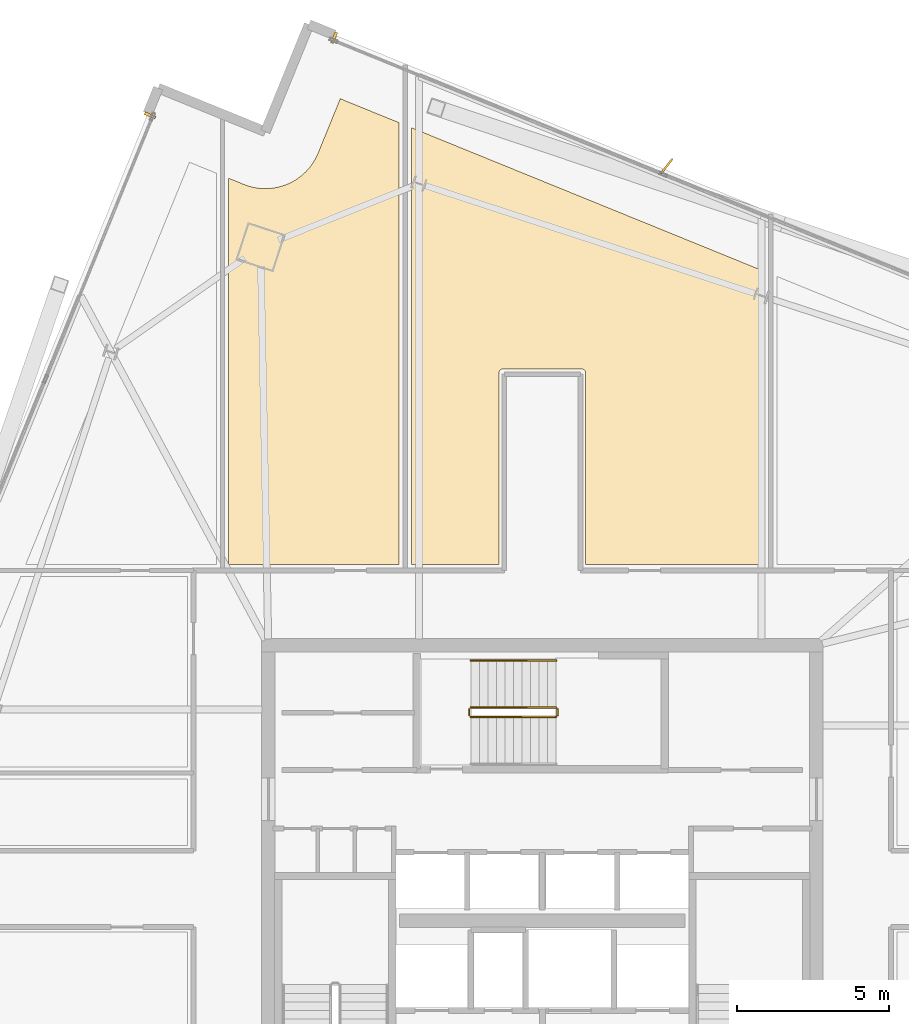
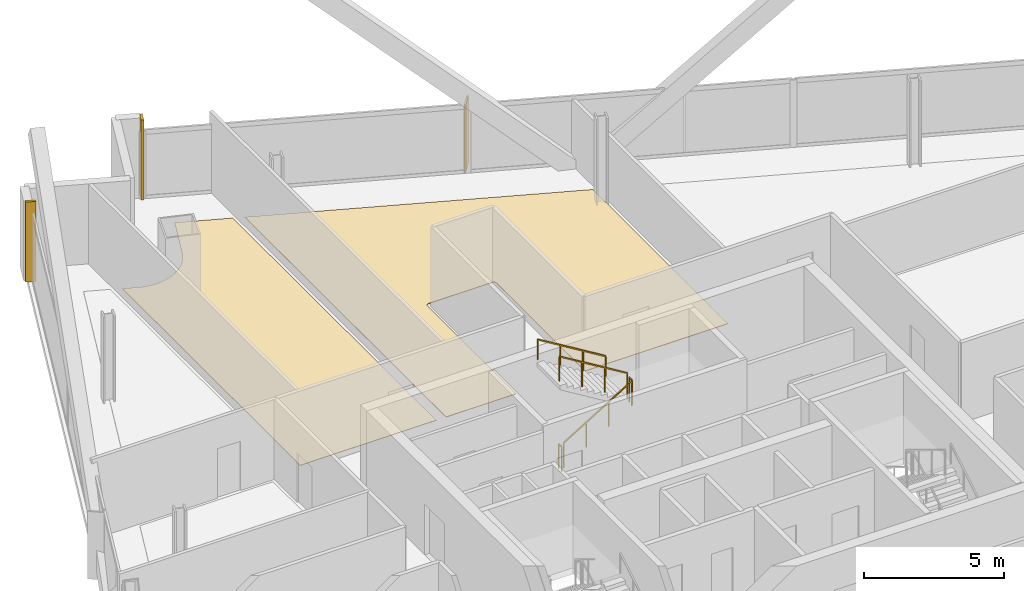
# One storey, part 30 of 31: 5 railings, 4 coverings, 1 shading device.
"""IFC4 building model written with IfcOpenShell, lengths in metres."""

from ifc_helpers import new_model, si_unit, direction, frame, origin, origin_2d, place, context, subcontext, project, spatial, polyline, rectangle, outline, extrude, source, transform, mapped, material, layer, layer_set, type_object, element, save


model = new_model("IFC4")

# Units and contexts
model_context = context("Model", 3, precision=1e-05, world=origin(), true_north=direction((0.0, 1.0)))
body_context = subcontext(model_context, "Body", "Model", "MODEL_VIEW")
ifc_project = project(units=[si_unit("LENGTHUNIT", "METRE"), si_unit("AREAUNIT", "SQUARE_METRE"), si_unit("VOLUMEUNIT", "CUBIC_METRE"), si_unit("PLANEANGLEUNIT", "RADIAN"), si_unit("MASSUNIT", "GRAM", prefix="KILO")], contexts=[model_context])

# Site, building, storey
site_placement = place(None, origin())
site = spatial("IfcSite", under=ifc_project, at=site_placement, CompositionType="ELEMENT")
building_placement = place(site_placement, origin())
building = spatial("IfcBuilding", under=site, at=building_placement, Name="Haldenkirk Collegiate Tower", CompositionType="ELEMENT")
storey_placement = place(building_placement, frame((0.0, 0.0, 256.199951171875)))
storey = spatial("IfcBuildingStorey", under=building, at=storey_placement, Name="L64", CompositionType="ELEMENT", Elevation=256.199951171875)

# Coverings
ifc_material_1 = material(Name="Polished collegiate terrazzo", Category="concrete")
ifc_layer_1 = layer(ifc_material_1, 0.02490234375)
ifc_layer_set_1 = layer_set([ifc_layer_1], Name="Polished collegiate terrazzo")
covering_type_1 = type_object("IfcCoveringType", Name="COV-FLOOR-TERRAZZO", PredefinedType="FLOORING", material=ifc_layer_set_1)
covering_1_placement = place(storey_placement, origin())
element("IfcCovering", 1, at=covering_1_placement, inside=storey, type_object=covering_type_1, Name="L64 academic room finish 06", PredefinedType="FLOORING", context=body_context, shape_type="SweptSolid", body=[
    extrude(outline(polyline([(43.300048828125, 46.27392578125), (43.300048828125, 36.64990234375), (37.419921875, 36.64990234375), (37.419921875, 42.949951171875), (37.41943359375, 42.9619140625), (37.417724609375, 42.973388671875), (37.414794921875, 42.98486328125), (37.410888671875, 42.995849609375), (37.40576171875, 43.006591796875), (37.39990234375, 43.0166015625), (37.392822265625, 43.026123046875), (37.385009765625, 43.034912109375), (37.376220703125, 43.042724609375), (37.36669921875, 43.0498046875), (37.356689453125, 43.055908203125), (37.345947265625, 43.060791015625), (37.334716796875, 43.064697265625), (37.323486328125, 43.067626953125), (37.311767578125, 43.0693359375), (37.300048828125, 43.070068359375), (34.699951171875, 43.070068359375), (34.688232421875, 43.0693359375), (34.676513671875, 43.067626953125), (34.665283203125, 43.064697265625), (34.654052734375, 43.060791015625), (34.643310546875, 43.055908203125), (34.63330078125, 43.0498046875), (34.623779296875, 43.042724609375), (34.614990234375, 43.034912109375), (34.607177734375, 43.026123046875), (34.60009765625, 43.0166015625), (34.59423828125, 43.006591796875), (34.589111328125, 42.995849609375), (34.585205078125, 42.98486328125), (34.582275390625, 42.973388671875), (34.58056640625, 42.9619140625), (34.580078125, 42.949951171875), (34.580078125, 36.64990234375), (31.699951171875, 36.64990234375), (31.699951171875, 50.99609375), (43.300048828125, 46.27392578125)])), origin(), (0.0, 0.0, 1.0), 0.025146484375),
])
ifc_material_2 = material(Name="Engineered collegiate oak acoustic flooring", Category="wood")
ifc_layer_2 = layer(ifc_material_2, 0.02197265625)
ifc_layer_set_2 = layer_set([ifc_layer_2], Name="Engineered collegiate oak acoustic flooring")
covering_type_2 = type_object("IfcCoveringType", Name="COV-FLOOR-TIMBER", PredefinedType="FLOORING", material=ifc_layer_set_2)
covering_2_placement = place(storey_placement, origin())
element("IfcCovering", 2, at=covering_2_placement, inside=storey, type_object=covering_type_2, Name="L64 academic room finish 05", PredefinedType="FLOORING", context=body_context, shape_type="SweptSolid", body=[
    extrude(outline(polyline([(26.198486328125, 49.1328125), (26.2041015625, 49.130615234375), (26.3662109375, 49.07373046875), (26.37744140625, 49.0703125), (26.544189453125, 49.02978515625), (26.5556640625, 49.027587890625), (26.7255859375, 49.00341796875), (26.7373046875, 49.002197265625), (26.908935546875, 48.994873046875), (26.9208984375, 48.994873046875), (27.09228515625, 49.00439453125), (27.10400390625, 49.005615234375), (27.273681640625, 49.03173828125), (27.285400390625, 49.0341796875), (27.45166015625, 49.076904296875), (27.462890625, 49.080322265625), (27.624267578125, 49.13916015625), (27.635009765625, 49.143798828125), (27.789794921875, 49.21826171875), (27.80029296875, 49.223876953125), (27.947021484375, 49.31298828125), (27.956787109375, 49.319580078125), (28.093994140625, 49.422607421875), (28.10302734375, 49.430419921875), (28.2294921875, 49.54638671875), (28.23779296875, 49.554931640625), (28.352294921875, 49.682861328125), (28.35986328125, 49.69189453125), (28.461181640625, 49.83056640625), (28.4677734375, 49.84033203125), (28.55517578125, 49.988037109375), (28.560791015625, 49.99853515625), (28.63330078125, 50.154296875), (28.635498046875, 50.15966796875), (29.36328125, 51.947265625), (31.300048828125, 51.15869140625), (31.300048828125, 36.64990234375), (25.699951171875, 36.64990234375), (25.699951171875, 49.335693359375), (26.198486328125, 49.1328125)])), origin(), (0.0, 0.0, 1.0), 0.02197265625),
])

# Railings
ifc_material_3 = material(Name="Painted architectural tubular steel", Category="steel")
railing_type_1 = type_object("IfcRailingType", Name="RLG-STAIR-GUARD-1100", PredefinedType="BALUSTRADE", material=ifc_material_3)
railing_1_placement = place(storey_placement, frame((33.64990234375, 31.64990234375, 0.17041015625)))
element("IfcRailing", 3, at=railing_1_placement, inside=storey, type_object=railing_type_1, Name="L64 ST-3 stair guard 1", PredefinedType="BALUSTRADE", context=body_context, shape_type="SweptSolid", body=[
    extrude(rectangle(XDim=0.048095703125, YDim=0.048095703125, at=origin_2d()), frame((0.0, 0.0, 1.076171875), z_axis=(0.854169791009, 0.0, 0.51999420009), x_axis=(0.0, 1.0, 0.0)), (0.0, 0.0, 1.0), 3.278076171875),
    extrude(rectangle(XDim=0.0419921875, YDim=0.0419921875, at=origin_2d()), origin(), (0.0, 0.0, 1.0), 1.052001953125),
    extrude(rectangle(XDim=0.0419921875, YDim=0.0419921875, at=origin_2d()), frame((0.933349609375, 0.0, 0.568115234375)), (0.0, 0.0, 1.0), 1.052001953125),
    extrude(rectangle(XDim=0.0419921875, YDim=0.0419921875, at=origin_2d()), frame((1.86669921875, 0.0, 1.136474609375)), (0.0, 0.0, 1.0), 1.052001953125),
    extrude(rectangle(XDim=0.0419921875, YDim=0.0419921875, at=origin_2d()), frame((2.800048828125, 0.0, 1.70458984375)), (0.0, 0.0, 1.0), 1.052001953125),
])
railing_2_placement = place(storey_placement, frame((36.5, 31.699951171875, 1.875)))
element("IfcRailing", 4, at=railing_2_placement, inside=storey, type_object=railing_type_1, Name="L64 ST-3 stair guard 2", PredefinedType="BALUSTRADE", context=body_context, shape_type="SweptSolid", body=[
    extrude(rectangle(XDim=0.048095703125, YDim=0.048095703125, at=origin_2d()), frame((0.0, 0.0, 1.076171875), z_axis=(0.0, 1.0, 0.0), x_axis=(-1.0, 0.0, 0.0)), (0.0, 0.0, 1.0), 0.199951171875),
    extrude(rectangle(XDim=0.0419921875, YDim=0.0419921875, at=origin_2d()), origin(), (0.0, 0.0, 1.0), 1.052001953125),
    extrude(rectangle(XDim=0.0419921875, YDim=0.0419921875, at=origin_2d()), frame((0.0, 0.199951171875, 0.0)), (0.0, 0.0, 1.0), 1.052001953125),
])
railing_3_placement = place(storey_placement, frame((36.449951171875, 31.949951171875, 2.04541015625)))
element("IfcRailing", 5, at=railing_3_placement, inside=storey, type_object=railing_type_1, Name="L64 ST-3 stair guard 3", PredefinedType="BALUSTRADE", context=body_context, shape_type="SweptSolid", body=[
    extrude(rectangle(XDim=0.048095703125, YDim=0.048095703125, at=origin_2d()), frame((0.0, 0.0, 1.076171875), z_axis=(-0.854169791009, 0.0, 0.51999420009), x_axis=(0.0, -1.0, 0.0)), (0.0, 0.0, 1.0), 3.278076171875),
    extrude(rectangle(XDim=0.0419921875, YDim=0.0419921875, at=origin_2d()), origin(), (0.0, 0.0, 1.0), 1.052001953125),
    extrude(rectangle(XDim=0.0419921875, YDim=0.0419921875, at=origin_2d()), frame((-0.933349609375, 0.0, 0.568115234375)), (0.0, 0.0, 1.0), 1.052001953125),
    extrude(rectangle(XDim=0.0419921875, YDim=0.0419921875, at=origin_2d()), frame((-1.86669921875, 0.0, 1.136474609375)), (0.0, 0.0, 1.0), 1.052001953125),
    extrude(rectangle(XDim=0.0419921875, YDim=0.0419921875, at=origin_2d()), frame((-2.800048828125, 0.0, 1.70458984375)), (0.0, 0.0, 1.0), 1.052001953125),
])
railing_4_placement = place(storey_placement, frame((33.60009765625, 31.699951171875, 0.0)))
element("IfcRailing", 6, at=railing_4_placement, inside=storey, type_object=railing_type_1, Name="L64 ST-3 stair guard 4", PredefinedType="BALUSTRADE", context=body_context, shape_type="SweptSolid", body=[
    extrude(rectangle(XDim=0.048095703125, YDim=0.048095703125, at=origin_2d()), frame((0.0, 0.0, 1.076171875), z_axis=(0.0, 1.0, 0.0), x_axis=(-1.0, 0.0, 0.0)), (0.0, 0.0, 1.0), 0.199951171875),
    extrude(rectangle(XDim=0.0419921875, YDim=0.0419921875, at=origin_2d()), origin(), (0.0, 0.0, 1.0), 1.052001953125),
    extrude(rectangle(XDim=0.0419921875, YDim=0.0419921875, at=origin_2d()), frame((0.0, 0.199951171875, 0.0)), (0.0, 0.0, 1.0), 1.052001953125),
])
railing_type_2 = type_object("IfcRailingType", Name="RLG-STAIR-HANDRAIL-900", PredefinedType="HANDRAIL", material=ifc_material_3)
railing_5_placement = place(storey_placement, frame((36.449951171875, 33.5, 2.04541015625)))
element("IfcRailing", 7, at=railing_5_placement, inside=storey, type_object=railing_type_2, Name="L64 ST-3 stair handrail 2", PredefinedType="HANDRAIL", context=body_context, shape_type="SweptSolid", body=[
    extrude(rectangle(XDim=0.048095703125, YDim=0.048095703125, at=origin_2d()), frame((0.0, 0.0, 0.8759765625), z_axis=(-0.854169791009, 0.0, 0.51999420009), x_axis=(0.0, -1.0, 0.0)), (0.0, 0.0, 1.0), 3.278076171875),
    extrude(rectangle(XDim=0.0419921875, YDim=0.0419921875, at=origin_2d()), origin(), (0.0, 0.0, 1.0), 0.851806640625),
    extrude(rectangle(XDim=0.0419921875, YDim=0.0419921875, at=origin_2d()), frame((-0.933349609375, 0.0, 0.568115234375)), (0.0, 0.0, 1.0), 0.851806640625),
    extrude(rectangle(XDim=0.0419921875, YDim=0.0419921875, at=origin_2d()), frame((-1.86669921875, 0.0, 1.136474609375)), (0.0, 0.0, 1.0), 0.851806640625),
    extrude(rectangle(XDim=0.0419921875, YDim=0.0419921875, at=origin_2d()), frame((-2.800048828125, 0.0, 1.70458984375)), (0.0, 0.0, 1.0), 0.851806640625),
])

# Coverings
ifc_material_4 = material(Name="Anodised architectural bronze aluminium", Category="aluminium")
ifc_layer_3 = layer(ifc_material_4, 0.06005859375)
ifc_layer_set_3 = layer_set([ifc_layer_3], Name="Anodised architectural bronze aluminium")
covering_type_3 = type_object("IfcCoveringType", Name="COV-CLAD-BRONZE-60", PredefinedType="CLADDING", material=ifc_layer_set_3)
shared_shape_1 = source(origin(), body_context, "Body", "SweptSolid", [
    extrude(rectangle(XDim=0.10009765625, YDim=0.3798828125, at=origin_2d()), origin(), (0.0, 0.0, 1.0), 3.47998046875),
])
for number, where, z_axis, x_axis, name in (
    (8, (29.163818359375, 53.9501953125, 0.0), (0.0, 0.0, 1.0), (0.926199960512, -0.377032668542, 0.0), "L64 recessed curtain-wall bronze jamb closure EJL"),
    (9, (23.11669921875, 51.402099609375, 0.0), (0.0, 0.0, 1.0), (0.377032668542, 0.926199960512, 0.0), "L64 recessed curtain-wall bronze jamb closure NJR"),
):
    element("IfcCovering", number, at=place(storey_placement, frame(where, z_axis=z_axis, x_axis=x_axis)), inside=storey, type_object=covering_type_3, Name=name, PredefinedType="CLADDING", context=body_context, shape_type="MappedRepresentation", body=[
        mapped(shared_shape_1, transform((0.0, 0.0, 0.0), x_axis=(1.0, 0.0, 0.0), y_axis=(0.0, 1.0, 0.0), z_axis=(0.0, 0.0, 1.0), scale=1.0)),
    ])

# Shading device
ifc_layer_4 = layer(ifc_material_4, 0.06494140625)
ifc_layer_set_4 = layer_set([ifc_layer_4], Name="Anodised architectural bronze aluminium")
shading_device_type = type_object("IfcShadingDeviceType", Name="SHD-FIN-BRONZE-620", PredefinedType="USERDEFINED", material=ifc_layer_set_4)
shared_shape_2 = source(origin(), body_context, "Body", "SweptSolid", [
    extrude(rectangle(XDim=0.6201171875, YDim=0.06494140625, at=origin_2d()), origin(), (0.0, 0.0, 1.0), 2.93798828125),
])
shading_device_placement = place(storey_placement, frame((40.08056640625, 49.727783203125, 0.0), z_axis=(0.0, 0.0, 1.0), x_axis=(0.61772237046, 0.786396257006, 0.0)))
element("IfcShadingDevice", 10, at=shading_device_placement, inside=storey, type_object=shading_device_type, Name="L64 folded bronze solar fin 1", ObjectType="FIN", PredefinedType="USERDEFINED", context=body_context, shape_type="MappedRepresentation", body=[
    mapped(shared_shape_2, transform((0.0, 0.0, 0.0), x_axis=(1.0, 0.0, 0.0), y_axis=(0.0, 1.0, 0.0), z_axis=(0.0, 0.0, 1.0), scale=1.0)),
])

save(model, "model.ifc")
